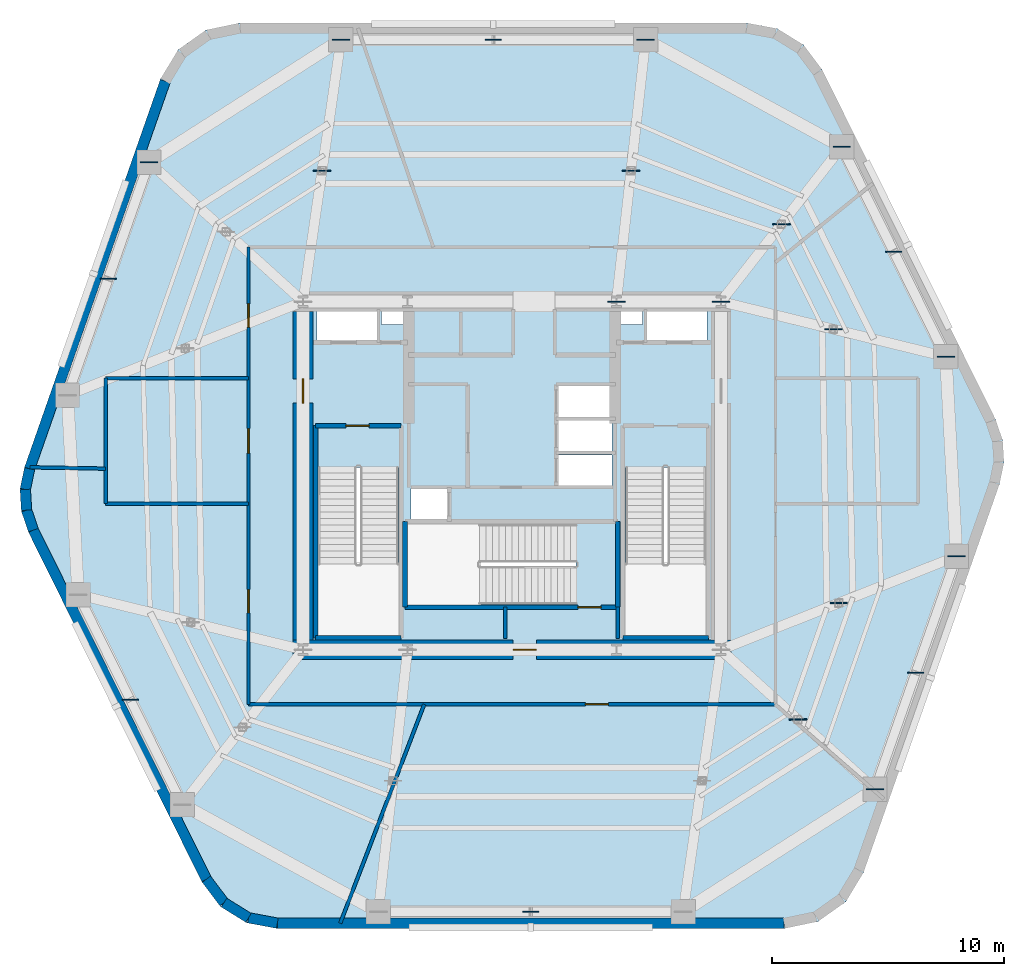
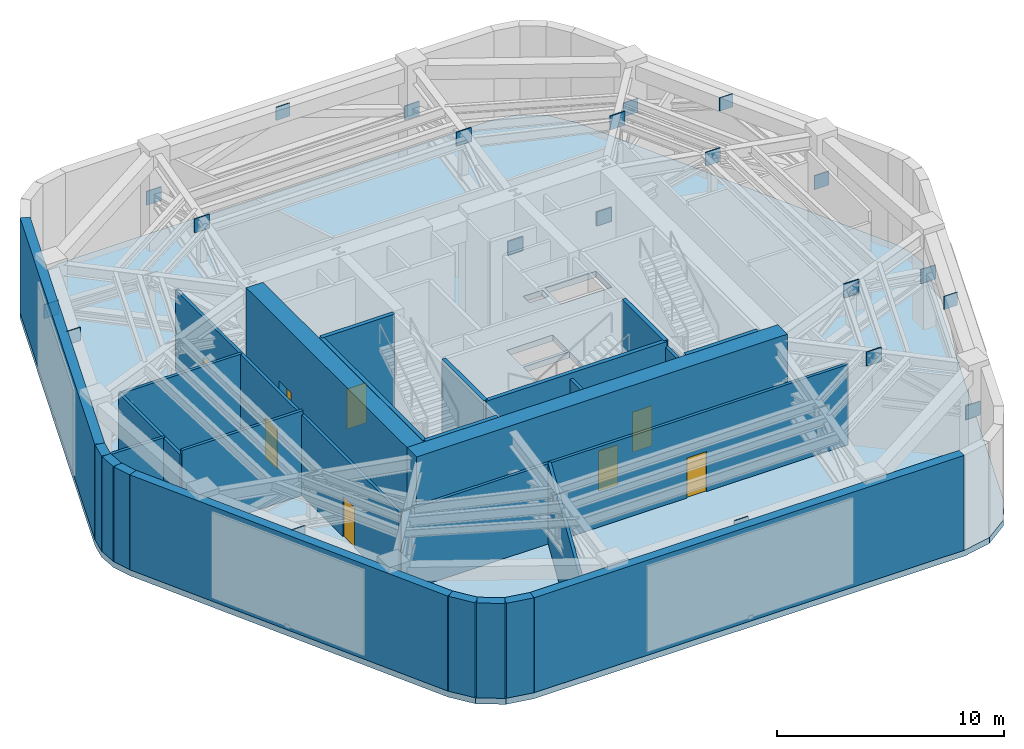
# One storey, part 5 of 10: 27 walls, 21 plates, 8 doors, 1 slab, 8 openings.
"""IFC4 building model written with IfcOpenShell, lengths in metres."""

from ifc_helpers import new_model, si_unit, direction, frame, frame_2d, origin, origin_2d, place, context, subcontext, project, spatial, polyline, rectangle, outline, extrude, material, layer, layer_set, type_object, element, fill, save


model = new_model("IFC4")

# Units and contexts
model_context = context("Model", 3, precision=1e-05, world=origin(), true_north=direction((0.0, 1.0)))
body_context = subcontext(model_context, "Body", "Model", "MODEL_VIEW")
ifc_project = project(units=[si_unit("LENGTHUNIT", "METRE"), si_unit("AREAUNIT", "SQUARE_METRE"), si_unit("VOLUMEUNIT", "CUBIC_METRE"), si_unit("PLANEANGLEUNIT", "RADIAN"), si_unit("MASSUNIT", "GRAM", prefix="KILO")], contexts=[model_context])

# Site, building, storey
site_placement = place(None, origin())
site = spatial("IfcSite", under=ifc_project, at=site_placement, CompositionType="ELEMENT")
building_placement = place(site_placement, origin())
building = spatial("IfcBuilding", under=site, at=building_placement, Name="Kilnhurst Terrace Hotel", CompositionType="ELEMENT")
storey_placement = place(building_placement, frame((0.0, 0.0, 170.199951171875)))
storey = spatial("IfcBuildingStorey", under=building, at=storey_placement, Name="L42", CompositionType="ELEMENT", Elevation=170.199951171875)

# Plates
ifc_material_1 = material(Name="Steel ASTM A572 Grade 50", Category="steel")
ifc_layer_1 = layer(ifc_material_1, 0.050048828125, Name="Steel ASTM A572 Grade 50")
ifc_layer_set_1 = layer_set([ifc_layer_1], Name="Steel ASTM A572 Grade 50")
plate_type = type_object("IfcPlateType", Name="PLT-GUSSET-50", PredefinedType="USERDEFINED", material=ifc_layer_set_1)
for number, where, z_axis, x_axis, name in (
    (1, (12.31591796875, -10.5029296875, 4.375), (0.0, 0.0, 1.0), (1.0, 0.0, 0.0), "L42 Outrigger Node Gusset Plate KN-MID-3"),
    (2, (15.633056640625, -13.5048828125, 2.14501953125), (0.0, 0.0, 1.0), (1.0, 0.0, 0.0), "L42 Outrigger Node Gusset Plate KN-PERIM-3"),
    (3, (14.073974609375, -5.48388671875, 4.375), (0.0, 0.0, 1.0), (1.0, 0.0, 0.0), "L42 Outrigger Node Gusset Plate KN-MID-4"),
    (4, (19.14794921875, -3.467041015625, 2.14501953125), (0.0, 0.0, 1.0), (1.0, 0.0, 0.0), "L42 Outrigger Node Gusset Plate KN-PERIM-4"),
    (5, (9.0, 7.5, 2.14501953125), (0.0, 0.0, 1.0), (1.0, 0.0, 0.0), "L42 Outrigger Node Gusset Plate KN-CORE-5"),
    (6, (13.843994140625, 6.31201171875, 4.375), (0.0, 0.0, 1.0), (1.0, 0.0, 0.0), "L42 Outrigger Node Gusset Plate KN-MID-5"),
    (7, (18.68701171875, 5.1240234375, 2.14501953125), (0.0, 0.0, 1.0), (1.0, 0.0, 0.0), "L42 Outrigger Node Gusset Plate KN-PERIM-5"),
    (8, (11.60205078125, 10.8330078125, 4.375), (0.0, 0.0, 1.0), (1.0, 0.0, 0.0), "L42 Outrigger Node Gusset Plate KN-MID-6"),
    (9, (14.2041015625, 14.166015625, 2.14501953125), (0.0, 0.0, 1.0), (1.0, 0.0, 0.0), "L42 Outrigger Node Gusset Plate KN-PERIM-6"),
    (10, (4.5, 7.5, 2.14501953125), (0.0, 0.0, 1.0), (1.0, 0.0, 0.0), "L42 Outrigger Node Gusset Plate KN-CORE-7"),
    (11, (5.126953125, 13.139892578125, 4.375), (0.0, 0.0, 1.0), (1.0, 0.0, 0.0), "L42 Outrigger Node Gusset Plate KN-MID-7"),
    (12, (5.7548828125, 18.780029296875, 2.14501953125), (0.0, 0.0, 1.0), (1.0, 0.0, 0.0), "L42 Outrigger Node Gusset Plate KN-PERIM-7"),
    (13, (-8.18408203125, 13.139892578125, 4.375), (0.0, 0.0, 1.0), (1.0, 0.0, 0.0), "L42 Outrigger Node Gusset Plate KN-MID-8"),
    (14, (-7.368896484375, 18.780029296875, 2.14501953125), (0.0, 0.0, 1.0), (1.0, 0.0, 0.0), "L42 Outrigger Node Gusset Plate KN-PERIM-8"),
    (15, (-15.633056640625, 13.5048828125, 2.14501953125), (0.0, 0.0, 1.0), (1.0, 0.0, 0.0), "L42 Outrigger Node Gusset Plate KN-PERIM-9"),
):
    element("IfcPlate", number, at=place(storey_placement, frame(where, z_axis=z_axis, x_axis=x_axis)), inside=storey, type_object=plate_type, Name=name, ObjectType="GUSSET_PLATE", PredefinedType="USERDEFINED", context=body_context, shape_type="SweptSolid", body=[
        extrude(rectangle(XDim=0.75, YDim=0.050048828125, at=origin_2d()), origin(), (0.0, 0.0, 1.0), 0.75),
    ])
for number, where, z_axis, x_axis, name in (
    (16, (0.806884765625, -18.780029296875, 4.39990234375), (0.0, 0.0, 1.0), (1.0, 0.0, 0.0), "L42 Belt Truss Apex Gusset Plate 1"),
    (17, (17.389892578125, -8.486083984375, 4.39990234375), (0.0, 0.0, 1.0), (1.0, 0.0, 0.0), "L42 Belt Truss Apex Gusset Plate 2"),
    (18, (16.446044921875, 9.64501953125, 4.39990234375), (0.0, 0.0, 1.0), (1.0, 0.0, 0.0), "L42 Belt Truss Apex Gusset Plate 3"),
    (19, (-0.806884765625, 18.780029296875, 4.39990234375), (0.0, 0.0, 1.0), (1.0, 0.0, 0.0), "L42 Belt Truss Apex Gusset Plate 4"),
    (20, (-17.389892578125, 8.486083984375, 4.39990234375), (0.0, 0.0, 1.0), (1.0, 0.0, 0.0), "L42 Belt Truss Apex Gusset Plate 5"),
    (21, (-16.446044921875, -9.64501953125, 4.39990234375), (0.0, 0.0, 1.0), (1.0, 0.0, 0.0), "L42 Belt Truss Apex Gusset Plate 6"),
):
    element("IfcPlate", number, at=place(storey_placement, frame(where, z_axis=z_axis, x_axis=x_axis)), inside=storey, type_object=plate_type, Name=name, ObjectType="GUSSET_PLATE", PredefinedType="USERDEFINED", context=body_context, shape_type="SweptSolid", body=[
        extrude(rectangle(XDim=0.699951171875, YDim=0.050048828125, at=origin_2d()), origin(), (0.0, 0.0, 1.0), 0.699951171875),
    ])

# Slab
ifc_material_2 = material(Name="Concrete C50/60", Category="concrete")
ifc_layer_2 = layer(ifc_material_2, 0.320068359375, Name="Concrete C50/60")
ifc_layer_set_2 = layer_set([ifc_layer_2], Name="Concrete C50/60")
slab_type = type_object("IfcSlabType", Name="SLB-FLR-320", PredefinedType="FLOOR", material=ifc_layer_set_2)
slab_placement = place(storey_placement, frame((0.0, 0.0, -0.320068359375)))
element("IfcSlab", 22, at=slab_placement, inside=storey, type_object=slab_type, Name="L42 Structural Floor Slab", PredefinedType="FLOOR", context=body_context, shape_type="SweptSolid", body=[
    extrude(outline(polyline([(-13.3544921875, -17.499267578125), (-12.5576171875, -18.5576171875), (-11.431640625, -19.256103515625), (-10.12939453125, -19.5), (11.74365234375, -19.5), (13.18310546875, -19.19970703125), (14.38232421875, -18.348876953125), (15.141357421875, -17.089599609375), (20.9990234375, -0.3583984375), (21.192138671875, 0.57568359375), (21.13330078125, 1.527587890625), (20.82666015625, 2.4306640625), (13.3544921875, 17.499267578125), (12.5576171875, 18.5576171875), (11.431640625, 19.256103515625), (10.12939453125, 19.5), (-11.74365234375, 19.5), (-13.18310546875, 19.19970703125), (-14.38232421875, 18.348876953125), (-15.141357421875, 17.089599609375), (-20.9990234375, 0.3583984375), (-21.192138671875, -0.57568359375), (-21.13330078125, -1.527587890625), (-20.82666015625, -2.4306640625), (-13.3544921875, -17.499267578125)]), holes=[polyline([(2.7548828125, -2.080078125), (2.7548828125, -5.550048828125), (-4.5, -5.550048828125), (-4.5, -2.080078125), (2.7548828125, -2.080078125)]), polyline([(-8.35009765625, 0.35498046875), (-4.8798828125, 0.35498046875), (-4.8798828125, -6.89990234375), (-8.35009765625, -6.89990234375), (-8.35009765625, 0.35498046875)]), polyline([(-2.800048828125, -1.89990234375), (-4.35009765625, -1.89990234375), (-4.35009765625, -0.550048828125), (-2.800048828125, -0.550048828125), (-2.800048828125, -1.89990234375)]), polyline([(1.949951171875, -0.429931640625), (1.949951171875, 0.89990234375), (4.300048828125, 0.89990234375), (4.300048828125, -0.429931640625), (1.949951171875, -0.429931640625)]), polyline([(-8.39990234375, 5.75), (-8.39990234375, 7.14990234375), (-5.800048828125, 7.14990234375), (-5.800048828125, 5.75), (-8.39990234375, 5.75)]), polyline([(-4.659912109375, 6.52001953125), (-5.6201171875, 6.52001953125), (-5.6201171875, 7.080078125), (-4.659912109375, 7.080078125), (-4.659912109375, 6.52001953125)]), polyline([(8.35009765625, 0.35498046875), (8.35009765625, -6.89990234375), (4.8798828125, -6.89990234375), (4.8798828125, 0.35498046875), (8.35009765625, 0.35498046875)]), polyline([(1.949951171875, 1.050048828125), (1.949951171875, 2.3798828125), (4.300048828125, 2.3798828125), (4.300048828125, 1.050048828125), (1.949951171875, 1.050048828125)]), polyline([(4.300048828125, 2.530029296875), (1.949951171875, 2.530029296875), (1.949951171875, 3.860107421875), (4.300048828125, 3.860107421875), (4.300048828125, 2.530029296875)]), polyline([(5.800048828125, 5.75), (5.800048828125, 7.14990234375), (8.39990234375, 7.14990234375), (8.39990234375, 5.75), (5.800048828125, 5.75)]), polyline([(4.659912109375, 6.52001953125), (4.659912109375, 7.080078125), (5.6201171875, 7.080078125), (5.6201171875, 6.52001953125), (4.659912109375, 6.52001953125)])]), origin(), (0.0, 0.0, 1.0), 0.320068359375),
])

# Walls
ifc_material_3 = material(Name="Precast concrete C40/50", Category="concrete")
ifc_layer_3 = layer(ifc_material_3, 0.449951171875, Name="Precast concrete C40/50")
ifc_layer_set_3 = layer_set([ifc_layer_3], Name="Precast concrete C40/50")
wall_type_1 = type_object("IfcWallType", Name="WL-BRK-450", PredefinedType="SOLIDWALL", material=ifc_layer_set_3)
wall_1_placement = place(storey_placement, frame((-13.162353515625, -17.380615234375, 0.0), z_axis=(0.0, 0.0, 1.0), x_axis=(0.601515770517, -0.798860925205, 0.0)))
element("IfcWall", 23, at=wall_1_placement, inside=storey, type_object=wall_type_1, Name="L42 Rounded Corner Brick Wall C1.1", PredefinedType="SOLIDWALL", context=body_context, shape_type="SweptSolid", body=[
    extrude(rectangle(XDim=1.261962890625, YDim=0.449951171875, at=frame_2d((0.630859375, 0.0))), origin(), (0.0, 0.0, 1.0), 5.10009765625),
])
wall_2_placement = place(storey_placement, frame((-12.4033203125, -18.388671875, 0.0), z_axis=(0.0, 0.0, 1.0), x_axis=(0.849795170926, -0.527113049991, 0.0)))
element("IfcWall", 24, at=wall_2_placement, inside=storey, type_object=wall_type_1, Name="L42 Rounded Corner Brick Wall C1.2", PredefinedType="SOLIDWALL", context=body_context, shape_type="SweptSolid", body=[
    extrude(rectangle(XDim=1.24072265625, YDim=0.449951171875, at=frame_2d((0.620361328125, 0.0))), origin(), (0.0, 0.0, 1.0), 5.10009765625),
])
wall_3_placement = place(storey_placement, frame((-11.348876953125, -19.042724609375, 0.0), z_axis=(0.0, 0.0, 1.0), x_axis=(0.982931267051, -0.183973161772, 0.0)))
element("IfcWall", 25, at=wall_3_placement, inside=storey, type_object=wall_type_1, Name="L42 Rounded Corner Brick Wall C1.3", PredefinedType="SOLIDWALL", context=body_context, shape_type="SweptSolid", body=[
    extrude(rectangle(XDim=1.261962890625, YDim=0.449951171875, at=frame_2d((0.630859375, 0.0))), origin(), (0.0, 0.0, 1.0), 5.10009765625),
])
wall_4_placement = place(storey_placement, frame((-20.78173828125, 0.298095703125, 0.0), z_axis=(0.0, 0.0, 1.0), x_axis=(-0.202570068411, -0.979267771033, 0.0)))
element("IfcWall", 26, at=wall_4_placement, inside=storey, type_object=wall_type_1, Name="L42 Rounded Corner Brick Wall C6.1", PredefinedType="SOLIDWALL", context=body_context, shape_type="SweptSolid", body=[
    extrude(rectangle(XDim=0.90869140625, YDim=0.449951171875, at=frame_2d((0.454345703125, 0.0))), origin(), (0.0, 0.0, 1.0), 5.10009765625),
])
wall_5_placement = place(storey_placement, frame((-20.9658203125, -0.591796875, 0.0), z_axis=(0.0, 0.0, 1.0), x_axis=(0.061748898935, -0.998091715966, 0.0)))
element("IfcWall", 27, at=wall_5_placement, inside=storey, type_object=wall_type_1, Name="L42 Rounded Corner Brick Wall C6.2", PredefinedType="SOLIDWALL", context=body_context, shape_type="SweptSolid", body=[
    extrude(rectangle(XDim=0.8935546875, YDim=0.449951171875, at=frame_2d((0.44677734375, 0.0))), origin(), (0.0, 0.0, 1.0), 5.10009765625),
])
wall_6_placement = place(storey_placement, frame((-20.91064453125, -1.483642578125, 0.0), z_axis=(0.0, 0.0, 1.0), x_axis=(0.321623334353, -0.946867694453, 0.0)))
element("IfcWall", 28, at=wall_6_placement, inside=storey, type_object=wall_type_1, Name="L42 Rounded Corner Brick Wall C6.3", PredefinedType="SOLIDWALL", context=body_context, shape_type="SweptSolid", body=[
    extrude(rectangle(XDim=0.90869140625, YDim=0.449951171875, at=frame_2d((0.454345703125, 0.0))), origin(), (0.0, 0.0, 1.0), 5.10009765625),
])
wall_7_placement = place(storey_placement, frame((-10.1083984375, -19.27490234375, 0.0), z_axis=(0.0, 0.0, 1.0), x_axis=(1.0, 0.0, 0.0)))
element("IfcWall", 29, at=wall_7_placement, inside=storey, type_object=wall_type_1, Name="L42 Exterior Brick Facade Wall F1", PredefinedType="SOLIDWALL", context=body_context, shape_type="SweptSolid", body=[
    extrude(rectangle(XDim=21.828857421875, YDim=0.449951171875, at=frame_2d((10.91455078125, 0.0))), origin(), (0.0, 0.0, 1.0), 5.10009765625),
])
wall_8_placement = place(storey_placement, frame((-14.936767578125, 16.993408203125, 0.0), z_axis=(0.0, 0.0, 1.0), x_axis=(-0.330431575061, -0.943829949834, 0.0)))
element("IfcWall", 30, at=wall_8_placement, inside=storey, type_object=wall_type_1, Name="L42 Exterior Brick Facade Wall F5", PredefinedType="SOLIDWALL", context=body_context, shape_type="SweptSolid", body=[
    extrude(rectangle(XDim=17.68896484375, YDim=0.449951171875, at=frame_2d((8.844482421875, 0.0))), origin(), (0.0, 0.0, 1.0), 5.10009765625),
])
wall_9_placement = place(storey_placement, frame((-20.618408203125, -2.343994140625, 0.0), z_axis=(0.0, 0.0, 1.0), x_axis=(0.444243691097, -0.895905990002, 0.0)))
element("IfcWall", 31, at=wall_9_placement, inside=storey, type_object=wall_type_1, Name="L42 Exterior Brick Facade Wall F6", PredefinedType="SOLIDWALL", context=body_context, shape_type="SweptSolid", body=[
    extrude(rectangle(XDim=16.78369140625, YDim=0.449951171875, at=frame_2d((8.391845703125, 0.0))), origin(), (0.0, 0.0, 1.0), 5.10009765625),
])

# Wall, openings, doors
ifc_material_4 = material(Name="Acoustic Double-Gypsum Corridor Partition Assembly")
ifc_layer_4 = layer(ifc_material_4, 0.14990234375, Name="Acoustic Double-Gypsum Corridor Partition Assembly")
ifc_layer_set_4 = layer_set([ifc_layer_4], Name="Acoustic Double-Gypsum Corridor Partition Assembly")
wall_type_2 = type_object("IfcWallType", Name="WL-COR-150", PredefinedType="PARTITIONING", material=ifc_layer_set_4)
wall_10_placement = place(storey_placement, frame((-11.35009765625, -9.85009765625, 0.0), z_axis=(0.0, 0.0, 1.0), x_axis=(0.0, 1.0, 0.0)))
wall_10 = element("IfcWall", 32, at=wall_10_placement, inside=storey, type_object=wall_type_2, Name="L42 Interior Wall WL-L42-COR-01", PredefinedType="PARTITIONING", context=body_context, shape_type="SweptSolid", body=[
    extrude(rectangle(XDim=19.7001953125, YDim=0.14990234375, at=frame_2d((9.85009765625, 0.0))), origin(), (0.0, 0.0, 1.0), 4.31640625),
])
opening_1_placement = place(wall_10_placement, frame((10.824951171875, 0.0, 0.0)))
opening_1 = element("IfcOpeningElement", 33, at=opening_1_placement, cuts=wall_10, Name="Opening D-90A", PredefinedType="OPENING", context=body_context, shape_type="SweptSolid", body=[
    extrude(rectangle(XDim=1.050048828125, YDim=2.14990234375, at=frame_2d((0.52490234375, 1.074951171875))), frame((0.0, 0.0849609375, 0.0), z_axis=(0.0, -1.0, 0.0), x_axis=(1.0, 0.0, 0.0)), (0.0, 0.0, 1.0), 0.169921875),
])
opening_2_placement = place(wall_10_placement, frame((16.2548828125, 0.0, 0.0)))
opening_2 = element("IfcOpeningElement", 34, at=opening_2_placement, cuts=wall_10, Name="Opening D-90B", PredefinedType="OPENING", context=body_context, shape_type="SweptSolid", body=[
    extrude(rectangle(XDim=1.0, YDim=2.14990234375, at=frame_2d((0.5, 1.074951171875))), frame((0.0, 0.0849609375, 0.0), z_axis=(0.0, -1.0, 0.0), x_axis=(1.0, 0.0, 0.0)), (0.0, 0.0, 1.0), 0.169921875),
])
opening_3_placement = place(wall_10_placement, frame((3.945068359375, 0.0, 0.0)))
opening_3 = element("IfcOpeningElement", 35, at=opening_3_placement, cuts=wall_10, Name="Opening D-90B", PredefinedType="OPENING", context=body_context, shape_type="SweptSolid", body=[
    extrude(rectangle(XDim=1.0, YDim=2.14990234375, at=frame_2d((0.5, 1.074951171875))), frame((0.0, 0.0849609375, 0.0), z_axis=(0.0, -1.0, 0.0), x_axis=(1.0, 0.0, 0.0)), (0.0, 0.0, 1.0), 0.169921875),
])
ifc_material_5 = material(Name="Painted Hollow Metal Steel ASTM A36 Fire Door", Category="steel")
door_type_1 = type_object("IfcDoorType", Name="DR-FD90-1000", OperationType="NOTDEFINED", PredefinedType="DOOR", material=ifc_material_5)
door_1_placement = place(opening_2_placement, origin())
door_1 = element("IfcDoor", 36, at=door_1_placement, inside=storey, type_object=door_type_1, Name="L42 Air Handling and Smoke Control Mechanical Room Door", OperationType="SINGLE_SWING_RIGHT", OverallHeight=2.14990234375, OverallWidth=1.0, PredefinedType="DOOR", context=body_context, shape_type="SweptSolid", body=[
    extrude(rectangle(XDim=1.0, YDim=2.14990234375, at=frame_2d((0.5, 1.074951171875))), frame((0.0, 0.02490234375, 0.0), z_axis=(0.0, -1.0, 0.0), x_axis=(1.0, 0.0, 0.0)), (0.0, 0.0, 1.0), 0.050048828125),
])
fill(opening_2, door_1)
door_2_placement = place(opening_3_placement, origin())
door_2 = element("IfcDoor", 37, at=door_2_placement, inside=storey, type_object=door_type_1, Name="L42 Domestic Water Booster and Fire Pump Room Door", OperationType="SINGLE_SWING_LEFT", OverallHeight=2.14990234375, OverallWidth=1.0, PredefinedType="DOOR", context=body_context, shape_type="SweptSolid", body=[
    extrude(rectangle(XDim=1.0, YDim=2.14990234375, at=frame_2d((0.5, 1.074951171875))), frame((0.0, 0.02490234375, 0.0), z_axis=(0.0, -1.0, 0.0), x_axis=(1.0, 0.0, 0.0)), (0.0, 0.0, 1.0), 0.050048828125),
])
fill(opening_3, door_2)
door_type_2 = type_object("IfcDoorType", Name="DR-FD90-1050", OperationType="NOTDEFINED", PredefinedType="DOOR", material=ifc_material_5)
door_3_placement = place(opening_1_placement, origin())
door_3 = element("IfcDoor", 38, at=door_3_placement, inside=storey, type_object=door_type_2, Name="L42 West Area of Refuge Door", OperationType="SINGLE_SWING_LEFT", OverallHeight=2.14990234375, OverallWidth=1.050048828125, PredefinedType="DOOR", context=body_context, shape_type="SweptSolid", body=[
    extrude(rectangle(XDim=1.050048828125, YDim=2.14990234375, at=frame_2d((0.52490234375, 1.074951171875))), frame((0.0, 0.02490234375, 0.0), z_axis=(0.0, -1.0, 0.0), x_axis=(1.0, 0.0, 0.0)), (0.0, 0.0, 1.0), 0.050048828125),
])
fill(opening_1, door_3)

# Wall, opening, door
wall_11_placement = place(storey_placement, frame((11.35009765625, -9.85009765625, 0.0), z_axis=(0.0, 0.0, 1.0), x_axis=(-1.0, 0.0, 0.0)))
wall_11 = element("IfcWall", 39, at=wall_11_placement, inside=storey, type_object=wall_type_2, Name="L42 Interior Wall WL-L42-COR-04", PredefinedType="PARTITIONING", context=body_context, shape_type="SweptSolid", body=[
    extrude(rectangle(XDim=22.7001953125, YDim=0.14990234375, at=frame_2d((11.35009765625, 0.0))), origin(), (0.0, 0.0, 1.0), 4.31640625),
])
opening_4_placement = place(wall_11_placement, frame((7.194091796875, 0.0, 0.0)))
opening_4 = element("IfcOpeningElement", 40, at=opening_4_placement, cuts=wall_11, Name="Opening D-90B", PredefinedType="OPENING", context=body_context, shape_type="SweptSolid", body=[
    extrude(rectangle(XDim=1.0, YDim=2.14990234375, at=frame_2d((0.5, 1.074951171875))), frame((0.0, 0.0849609375, 0.0), z_axis=(0.0, -1.0, 0.0), x_axis=(1.0, 0.0, 0.0)), (0.0, 0.0, 1.0), 0.169921875),
])
door_4_placement = place(opening_4_placement, origin())
door_4 = element("IfcDoor", 41, at=door_4_placement, inside=storey, type_object=door_type_1, Name="L42 High Rise Electrical Switchgear and Transformer Room Door", OperationType="SINGLE_SWING_RIGHT", OverallHeight=2.14990234375, OverallWidth=1.0, PredefinedType="DOOR", context=body_context, shape_type="SweptSolid", body=[
    extrude(rectangle(XDim=1.0, YDim=2.14990234375, at=frame_2d((0.5, 1.074951171875))), frame((0.0, 0.02490234375, 0.0), z_axis=(0.0, -1.0, 0.0), x_axis=(1.0, 0.0, 0.0)), (0.0, 0.0, 1.0), 0.050048828125),
])
fill(opening_4, door_4)

# Walls
wall_12_placement = place(storey_placement, frame((-17.5, -1.199951171875, 0.0), z_axis=(0.0, 0.0, 1.0), x_axis=(1.0, 0.0, 0.0)))
element("IfcWall", 42, at=wall_12_placement, inside=storey, type_object=wall_type_2, Name="L42 Interior Wall WL-L42-REF-W-S", PredefinedType="PARTITIONING", context=body_context, shape_type="SweptSolid", body=[
    extrude(rectangle(XDim=6.14990234375, YDim=0.14990234375, at=frame_2d((3.074951171875, 0.0))), origin(), (0.0, 0.0, 1.0), 4.54052734375),
])
wall_13_placement = place(storey_placement, frame((-17.5, 4.199951171875, 0.0), z_axis=(0.0, 0.0, 1.0), x_axis=(1.0, 0.0, 0.0)))
element("IfcWall", 43, at=wall_13_placement, inside=storey, type_object=wall_type_2, Name="L42 Interior Wall WL-L42-REF-W-N", PredefinedType="PARTITIONING", context=body_context, shape_type="SweptSolid", body=[
    extrude(rectangle(XDim=6.14990234375, YDim=0.14990234375, at=frame_2d((3.074951171875, 0.0))), origin(), (0.0, 0.0, 1.0), 4.31640625),
])
wall_14_placement = place(storey_placement, frame((-17.5, -1.199951171875, 0.0), z_axis=(0.0, 0.0, 1.0), x_axis=(0.0, 1.0, 0.0)))
element("IfcWall", 44, at=wall_14_placement, inside=storey, type_object=wall_type_2, Name="L42 Interior Wall WL-L42-REF-W-OUT", PredefinedType="PARTITIONING", context=body_context, shape_type="SweptSolid", body=[
    extrude(rectangle(XDim=5.39990234375, YDim=0.14990234375, at=frame_2d((2.699951171875, 0.0))), origin(), (0.0, 0.0, 1.0), 4.31640625),
])
wall_15_placement = place(storey_placement, frame((-17.5, 0.305419921875, 0.0), z_axis=(0.0, 0.0, 1.0), x_axis=(-0.99984772798, 0.017450525889, 0.0)))
element("IfcWall", 45, at=wall_15_placement, inside=storey, type_object=wall_type_2, Name="L42 Interior Wall WL-L42-PDIV-3-1", PredefinedType="PARTITIONING", context=body_context, shape_type="SweptSolid", body=[
    extrude(rectangle(XDim=3.259765625, YDim=0.14990234375, at=frame_2d((1.6298828125, 0.0))), origin(), (0.0, 0.0, 1.0), 4.340087890625),
])
wall_16_placement = place(storey_placement, frame((-3.781005859375, -9.85009765625, 0.0), z_axis=(0.0, 0.0, 1.0), x_axis=(-0.358374542439, -0.933577895696, 0.0)))
element("IfcWall", 46, at=wall_16_placement, inside=storey, type_object=wall_type_2, Name="L42 Interior Wall WL-L42-PDIV-4-1", PredefinedType="PARTITIONING", context=body_context, shape_type="SweptSolid", body=[
    extrude(rectangle(XDim=10.095458984375, YDim=0.14990234375, at=frame_2d((5.0478515625, 0.0))), origin(), (0.0, 0.0, 1.0), 4.31640625),
])

# Wall, opening, door
ifc_material_6 = material(Name="Concrete C80/95", Category="concrete")
ifc_layer_5 = layer(ifc_material_6, 0.85009765625, Name="Concrete C80/95")
ifc_layer_set_5 = layer_set([ifc_layer_5], Name="Concrete C80/95")
wall_type_3 = type_object("IfcWallType", Name="WL-CORE-850", PredefinedType="SHEAR", material=ifc_layer_set_5)
wall_17_placement = place(storey_placement, frame((-9.425048828125, -7.5, 0.0), z_axis=(0.0, 0.0, 1.0), x_axis=(1.0, 0.0, 0.0)))
wall_17 = element("IfcWall", 47, at=wall_17_placement, inside=storey, type_object=wall_type_3, Name="L42 Core South Shear Wall", PredefinedType="SHEAR", context=body_context, shape_type="SweptSolid", body=[
    extrude(rectangle(XDim=18.85009765625, YDim=0.85009765625, at=frame_2d((9.425048828125, 0.0))), origin(), (0.0, 0.0, 1.0), 5.400146484375),
])
opening_5_placement = place(wall_17_placement, frame((9.47509765625, 0.0, 0.0)))
opening_5 = element("IfcOpeningElement", 48, at=opening_5_placement, cuts=wall_17, Name="Opening D-90B", PredefinedType="OPENING", context=body_context, shape_type="SweptSolid", body=[
    extrude(rectangle(XDim=1.0, YDim=2.14990234375, at=frame_2d((0.5, 1.074951171875))), frame((0.0, 0.43505859375, 0.0), z_axis=(0.0, -1.0, 0.0), x_axis=(1.0, 0.0, 0.0)), (0.0, 0.0, 1.0), 0.8701171875),
])
door_5_placement = place(opening_5_placement, origin())
door_5 = element("IfcDoor", 49, at=door_5_placement, inside=storey, type_object=door_type_1, Name="L42 Stair ST-3 Corridor Door", OperationType="SINGLE_SWING_RIGHT", OverallHeight=2.14990234375, OverallWidth=1.0, PredefinedType="DOOR", context=body_context, shape_type="SweptSolid", body=[
    extrude(rectangle(XDim=1.0, YDim=2.14990234375, at=frame_2d((0.5, 1.074951171875))), frame((0.0, 0.02490234375, 0.0), z_axis=(0.0, -1.0, 0.0), x_axis=(1.0, 0.0, 0.0)), (0.0, 0.0, 1.0), 0.050048828125),
])
fill(opening_5, door_5)

wall_18_placement = place(storey_placement, frame((-9.0, -7.074951171875, 0.0), z_axis=(0.0, 0.0, 1.0), x_axis=(0.0, 1.0, 0.0)))
wall_18 = element("IfcWall", 50, at=wall_18_placement, inside=storey, type_object=wall_type_3, Name="L42 Core West Shear Wall", PredefinedType="SHEAR", context=body_context, shape_type="SweptSolid", body=[
    extrude(rectangle(XDim=14.14990234375, YDim=0.85009765625, at=frame_2d((7.074951171875, 0.0))), origin(), (0.0, 0.0, 1.0), 5.400146484375),
])
opening_6_placement = place(wall_18_placement, frame((10.199951171875, 0.0, 0.0)))
opening_6 = element("IfcOpeningElement", 51, at=opening_6_placement, cuts=wall_18, Name="Opening D-90A", PredefinedType="OPENING", context=body_context, shape_type="SweptSolid", body=[
    extrude(rectangle(XDim=1.050048828125, YDim=2.14990234375, at=frame_2d((0.52490234375, 1.074951171875))), frame((0.0, 0.43505859375, 0.0), z_axis=(0.0, -1.0, 0.0), x_axis=(1.0, 0.0, 0.0)), (0.0, 0.0, 1.0), 0.8701171875),
])
door_6_placement = place(opening_6_placement, origin())
door_6 = element("IfcDoor", 52, at=door_6_placement, inside=storey, type_object=door_type_2, Name="L42 West Firefighting Lobby Door", OperationType="SINGLE_SWING_RIGHT", OverallHeight=2.14990234375, OverallWidth=1.050048828125, PredefinedType="DOOR", context=body_context, shape_type="SweptSolid", body=[
    extrude(rectangle(XDim=1.050048828125, YDim=2.14990234375, at=frame_2d((0.52490234375, 1.074951171875))), frame((0.0, 0.02490234375, 0.0), z_axis=(0.0, -1.0, 0.0), x_axis=(1.0, 0.0, 0.0)), (0.0, 0.0, 1.0), 0.050048828125),
])
fill(opening_6, door_6)

# Walls
ifc_material_7 = material(Name="Fire-Rated Gypsum Shaftliner Assembly")
ifc_layer_6 = layer(ifc_material_7, 0.14990234375, Name="Fire-Rated Gypsum Shaftliner Assembly")
ifc_layer_set_6 = layer_set([ifc_layer_6], Name="Fire-Rated Gypsum Shaftliner Assembly")
wall_type_4 = type_object("IfcWallType", Name="WL-SHAFT-150", PredefinedType="PARTITIONING", material=ifc_layer_set_6)
for number, where, z_axis, x_axis, name in (
    (53, (-0.300048828125, -7.02001953125, 0.0), (0.0, 0.0, 1.0), (0.0, 1.0, 0.0), "L42 Interior Wall WL-L42-ST3-PSGW"),
    (54, (4.55810546875, -7.02001953125, 0.0), (0.0, 0.0, 1.0), (0.0, 1.0, 0.0), "L42 Interior Wall WL-L42-ST3-PSGE"),
):
    element("IfcWall", number, at=place(storey_placement, frame(where, z_axis=z_axis, x_axis=x_axis)), inside=storey, type_object=wall_type_4, Name=name, PredefinedType="PARTITIONING", context=body_context, shape_type="SweptSolid", body=[
        extrude(rectangle(XDim=1.362060546875, YDim=0.14990234375, at=frame_2d((0.68115234375, 0.0))), origin(), (0.0, 0.0, 1.0), 5.10009765625),
    ])
ifc_layer_7 = layer(ifc_material_2, 0.199951171875, Name="Concrete C50/60")
ifc_layer_set_7 = layer_set([ifc_layer_7], Name="Concrete C50/60")
wall_type_5 = type_object("IfcWallType", Name="WL-STAIR-RC-200", PredefinedType="SHEAR", material=ifc_layer_set_7)
wall_19_placement = place(storey_placement, frame((-8.4580078125, -6.985107421875, 0.0), z_axis=(0.0, 0.0, 1.0), x_axis=(0.0, 1.0, 0.0)))
element("IfcWall", 55, at=wall_19_placement, inside=storey, type_object=wall_type_5, Name="L42 Structural Stair Shaft Wall WL-L42-ST1-W", PredefinedType="SHEAR", context=body_context, shape_type="SweptSolid", body=[
    extrude(rectangle(XDim=9.14306640625, YDim=0.199951171875, at=frame_2d((4.571533203125, 0.0))), origin(), (0.0, 0.0, 1.0), 5.400146484375),
])
wall_20_placement = place(storey_placement, frame((-8.4580078125, -6.985107421875, 0.0), z_axis=(0.0, 0.0, 1.0), x_axis=(1.0, 0.0, 0.0)))
element("IfcWall", 56, at=wall_20_placement, inside=storey, type_object=wall_type_5, Name="L42 Structural Stair Shaft Wall WL-L42-ST1-S", PredefinedType="SHEAR", context=body_context, shape_type="SweptSolid", body=[
    extrude(rectangle(XDim=3.68603515625, YDim=0.199951171875, at=frame_2d((1.843017578125, 0.0))), origin(), (0.0, 0.0, 1.0), 5.400146484375),
])

# Wall, opening, door
wall_21_placement = place(storey_placement, frame((-8.4580078125, 2.157958984375, 0.0), z_axis=(0.0, 0.0, 1.0), x_axis=(1.0, 0.0, 0.0)))
wall_21 = element("IfcWall", 57, at=wall_21_placement, inside=storey, type_object=wall_type_5, Name="L42 Structural Stair Shaft Wall WL-L42-ST1-N", PredefinedType="SHEAR", context=body_context, shape_type="SweptSolid", body=[
    extrude(rectangle(XDim=3.68603515625, YDim=0.199951171875, at=frame_2d((1.843017578125, 0.0))), origin(), (0.0, 0.0, 1.0), 5.400146484375),
])
opening_7_placement = place(wall_21_placement, frame((1.300048828125, 0.0, 0.0)))
opening_7 = element("IfcOpeningElement", 58, at=opening_7_placement, cuts=wall_21, Name="Opening D-90B", PredefinedType="OPENING", context=body_context, shape_type="SweptSolid", body=[
    extrude(rectangle(XDim=1.0, YDim=2.14990234375, at=frame_2d((0.5, 1.074951171875))), frame((0.0, 0.10986328125, 0.0), z_axis=(0.0, -1.0, 0.0), x_axis=(1.0, 0.0, 0.0)), (0.0, 0.0, 1.0), 0.219970703125),
])
door_7_placement = place(opening_7_placement, origin())
door_7 = element("IfcDoor", 59, at=door_7_placement, inside=storey, type_object=door_type_1, Name="L42 Stair ST-1 Door", OperationType="SINGLE_SWING_LEFT", OverallHeight=2.14990234375, OverallWidth=1.0, PredefinedType="DOOR", context=body_context, shape_type="SweptSolid", body=[
    extrude(rectangle(XDim=1.0, YDim=2.14990234375, at=frame_2d((0.5, 1.074951171875))), frame((0.0, 0.02490234375, 0.0), z_axis=(0.0, -1.0, 0.0), x_axis=(1.0, 0.0, 0.0)), (0.0, 0.0, 1.0), 0.050048828125),
])
fill(opening_7, door_7)

# Walls
for number, where, z_axis, x_axis, name in (
    (60, (4.77197265625, -6.985107421875, 0.0), (0.0, 0.0, 1.0), (1.0, 0.0, 0.0), "L42 Structural Stair Shaft Wall WL-L42-ST2-S"),
    (61, (-4.60791015625, -5.657958984375, 0.0), (0.0, 0.0, 1.0), (0.0, 1.0, 0.0), "L42 Structural Stair Shaft Wall WL-L42-ST3-W"),
):
    element("IfcWall", number, at=place(storey_placement, frame(where, z_axis=z_axis, x_axis=x_axis)), inside=storey, type_object=wall_type_5, Name=name, PredefinedType="SHEAR", context=body_context, shape_type="SweptSolid", body=[
        extrude(rectangle(XDim=3.68603515625, YDim=0.199951171875, at=frame_2d((1.843017578125, 0.0))), origin(), (0.0, 0.0, 1.0), 5.400146484375),
    ])

# Wall, opening, door
wall_22_placement = place(storey_placement, frame((-4.60791015625, -5.657958984375, 0.0), z_axis=(0.0, 0.0, 1.0), x_axis=(1.0, 0.0, 0.0)))
wall_22 = element("IfcWall", 62, at=wall_22_placement, inside=storey, type_object=wall_type_5, Name="L42 Structural Stair Shaft Wall WL-L42-ST3-S", PredefinedType="SHEAR", context=body_context, shape_type="SweptSolid", body=[
    extrude(rectangle(XDim=9.166015625, YDim=0.199951171875, at=frame_2d((4.5830078125, 0.0))), origin(), (0.0, 0.0, 1.0), 5.400146484375),
])
opening_8_placement = place(wall_22_placement, frame((7.449951171875, 0.0, 0.0)))
opening_8 = element("IfcOpeningElement", 63, at=opening_8_placement, cuts=wall_22, Name="Opening D-90B", PredefinedType="OPENING", context=body_context, shape_type="SweptSolid", body=[
    extrude(rectangle(XDim=1.0, YDim=2.14990234375, at=frame_2d((0.5, 1.074951171875))), frame((0.0, 0.10986328125, 0.0), z_axis=(0.0, -1.0, 0.0), x_axis=(1.0, 0.0, 0.0)), (0.0, 0.0, 1.0), 0.219970703125),
])
door_8_placement = place(opening_8_placement, origin())
door_8 = element("IfcDoor", 64, at=door_8_placement, inside=storey, type_object=door_type_1, Name="L42 Stair ST-3 Shaft Door", OperationType="SINGLE_SWING_LEFT", OverallHeight=2.14990234375, OverallWidth=1.0, PredefinedType="DOOR", context=body_context, shape_type="SweptSolid", body=[
    extrude(rectangle(XDim=1.0, YDim=2.14990234375, at=frame_2d((0.5, 1.074951171875))), frame((0.0, 0.02490234375, 0.0), z_axis=(0.0, -1.0, 0.0), x_axis=(1.0, 0.0, 0.0)), (0.0, 0.0, 1.0), 0.050048828125),
])
fill(opening_8, door_8)

# Wall
wall_23_placement = place(storey_placement, frame((4.55810546875, -5.657958984375, 0.0), z_axis=(0.0, 0.0, 1.0), x_axis=(0.0, 1.0, 0.0)))
element("IfcWall", 65, at=wall_23_placement, inside=storey, type_object=wall_type_5, Name="L42 Structural Stair Shaft Wall WL-L42-ST3-E", PredefinedType="SHEAR", context=body_context, shape_type="SweptSolid", body=[
    extrude(rectangle(XDim=3.68603515625, YDim=0.199951171875, at=frame_2d((1.843017578125, 0.0))), origin(), (0.0, 0.0, 1.0), 5.400146484375),
])

save(model, "model.ifc")
